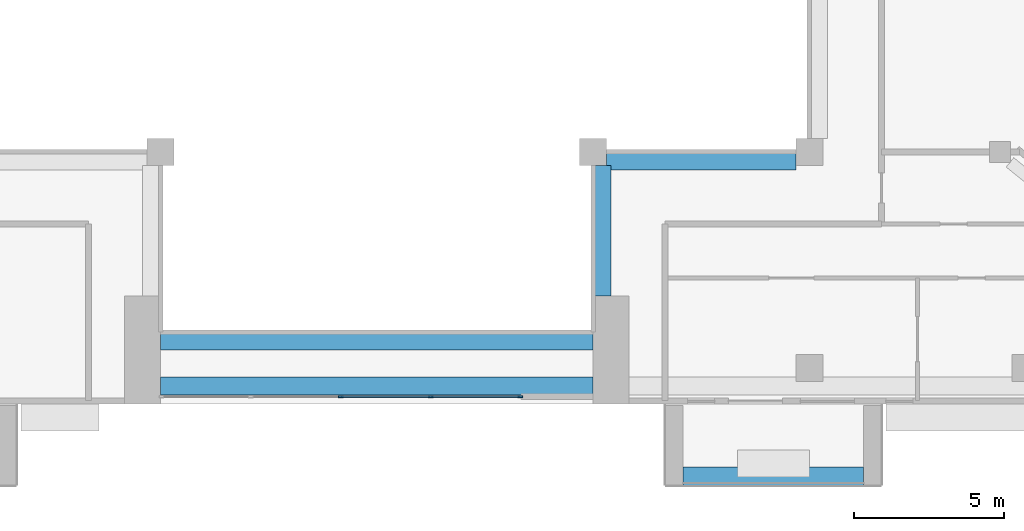
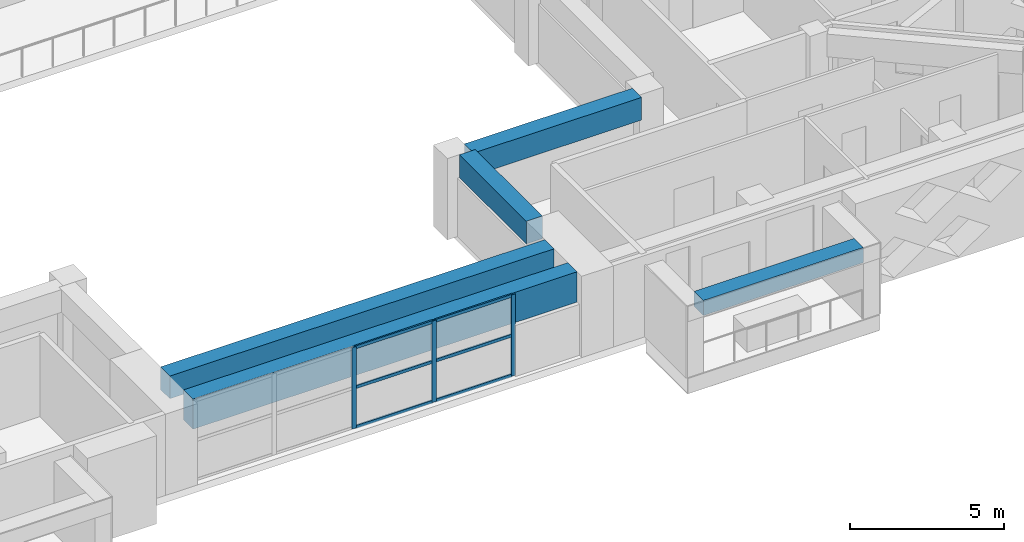
# One storey, part 4 of 19: 9 members, 5 beams, 1 element without a shape of its own.
"""IFC4 building model written with IfcOpenShell, lengths in metres."""

from ifc_helpers import new_model, si_unit, direction, frame, origin, origin_2d, place, context, subcontext, project, spatial, rectangle, extrude, source, transform, mapped, material, layer, layer_set, material_profile, profile_set, type_object, element, aggregate, save


model = new_model("IFC4")

# Units and contexts
model_context = context("Model", 3, precision=1e-05, world=origin(), true_north=direction((0.0, 1.0)))
body_context = subcontext(model_context, "Body", "Model", "MODEL_VIEW")
ifc_project = project(units=[si_unit("LENGTHUNIT", "METRE"), si_unit("AREAUNIT", "SQUARE_METRE"), si_unit("VOLUMEUNIT", "CUBIC_METRE"), si_unit("PLANEANGLEUNIT", "RADIAN"), si_unit("MASSUNIT", "GRAM", prefix="KILO")], contexts=[model_context])

# Site, building, storey
site_placement = place(None, origin())
site = spatial("IfcSite", under=ifc_project, at=site_placement, CompositionType="ELEMENT")
building_placement = place(site_placement, origin())
building = spatial("IfcBuilding", under=site, at=building_placement, Name="Saffron Iwan Residences", CompositionType="ELEMENT")
storey_placement = place(building_placement, frame((0.0, 0.0, 225.5)))
storey = spatial("IfcBuildingStorey", under=building, at=storey_placement, Name="L60", CompositionType="ELEMENT", Elevation=225.5)

# Beams
ifc_material_1 = material(Name="Concrete C40/50", Category="concrete")
ifc_material_profile_1 = material_profile(ifc_material_1, rectangle(XDim=0.60009765625, YDim=1.199951171875, at=origin_2d()), Name="RC 600x1200")
ifc_profile_set_1 = profile_set([ifc_material_profile_1], Name="Concrete C40/50")
beam_type_1 = type_object("IfcBeamType", Name="LINTEL BEAM RC 600x1200 C40/50 TOP 3220", PredefinedType="LINTEL", material=ifc_profile_set_1)
shared_shape_1 = source(origin(), body_context, "Body", "SweptSolid", [
    extrude(rectangle(XDim=0.60009765625, YDim=1.199951171875, at=origin_2d()), origin(), (0.0, 0.0, 1.0), 14.400146484375),
])
beam_1_placement = place(storey_placement, frame((57.60009765625, 40.199951171875, 2.6201171875), z_axis=(-1.0, 0.0, 0.0), x_axis=(0.0, -1.0, 0.0)))
element("IfcBeam", 1, at=beam_1_placement, inside=storey, type_object=beam_type_1, Name="Lintel beam over the iwan", PredefinedType="LINTEL", context=body_context, shape_type="MappedRepresentation", body=[
    mapped(shared_shape_1, transform((0.0, 0.0, 0.0))),
])
ifc_material_profile_2 = material_profile(ifc_material_1, rectangle(XDim=0.60009765625, YDim=0.89990234375, at=origin_2d()), Name="RC 600x900")
ifc_profile_set_2 = profile_set([ifc_material_profile_2], Name="Concrete C40/50")
beam_type_2 = type_object("IfcBeamType", Name="BEAM RC 600x900 C40/50 TOP 3220", PredefinedType="BEAM", material=ifc_profile_set_2)
shared_shape_2 = source(origin(), body_context, "Body", "SweptSolid", [
    extrude(rectangle(XDim=0.60009765625, YDim=0.89990234375, at=origin_2d()), origin(), (0.0, 0.0, 1.0), 14.400146484375),
])
beam_2_placement = place(storey_placement, frame((57.60009765625, 41.699951171875, 2.77001953125), z_axis=(-1.0, 0.0, 0.0), x_axis=(0.0, -1.0, 0.0)))
element("IfcBeam", 2, at=beam_2_placement, inside=storey, type_object=beam_type_2, Name="Atrium edge beam", PredefinedType="BEAM", context=body_context, shape_type="MappedRepresentation", body=[
    mapped(shared_shape_2, transform((0.0, 0.0, 0.0))),
])
shared_shape_3 = source(origin(), body_context, "Body", "SweptSolid", [
    extrude(rectangle(XDim=0.60009765625, YDim=0.89990234375, at=origin_2d()), origin(), (0.0, 0.0, 1.0), 4.35009765625),
])
beam_3_placement = place(storey_placement, frame((57.89990234375, 47.550048828125, 2.77001953125), z_axis=(0.0, -1.0, 0.0), x_axis=(1.0, 0.0, 0.0)))
element("IfcBeam", 3, at=beam_3_placement, inside=storey, type_object=beam_type_2, Name="Atrium edge beam", PredefinedType="BEAM", context=body_context, shape_type="MappedRepresentation", body=[
    mapped(shared_shape_3, transform((0.0, 0.0, 0.0))),
])
shared_shape_4 = source(origin(), body_context, "Body", "SweptSolid", [
    extrude(rectangle(XDim=0.60009765625, YDim=0.89990234375, at=origin_2d()), origin(), (0.0, 0.0, 1.0), 6.300048828125),
])
beam_4_placement = place(storey_placement, frame((64.35009765625, 47.699951171875, 2.77001953125), z_axis=(-1.0, 0.0, 0.0), x_axis=(0.0, -1.0, 0.0)))
element("IfcBeam", 4, at=beam_4_placement, inside=storey, type_object=beam_type_2, Name="Atrium edge beam", PredefinedType="BEAM", context=body_context, shape_type="MappedRepresentation", body=[
    mapped(shared_shape_4, transform((0.0, 0.0, 0.0))),
])

# Curtain wall, members
ifc_material_2 = material(Name="Clear glass, laminated double glazed", Category="glass")
ifc_layer = layer(ifc_material_2, 0.199951171875)
ifc_layer_set = layer_set([ifc_layer], Name="Clear glass, laminated double glazed")
curtain_wall_type = type_object("IfcCurtainWallType", Name="CW-B IWAN PORTAL", PredefinedType="NOTDEFINED", material=ifc_layer_set)
curtain_wall_placement = place(storey_placement, origin())
curtain_wall = element("IfcCurtainWall", 5, at=curtain_wall_placement, inside=storey, type_object=curtain_wall_type, Name="Iwan portal glazing L60.1", PredefinedType="NOTDEFINED")
ifc_material_3 = material(Name="Aluminium 6063-T6", Category="aluminium")
ifc_material_profile_3 = material_profile(ifc_material_3, rectangle(XDim=0.06005859375, YDim=0.1201171875, at=origin_2d()), Name="CW-B TRANSOM 60 x 120")
ifc_profile_set_3 = profile_set([ifc_material_profile_3], Name="Aluminium 6063-T6")
member_type_1 = type_object("IfcMemberType", Name="CW-B TRANSOM 60 x 120", PredefinedType="USERDEFINED", material=ifc_profile_set_3)
shared_shape_5 = source(origin(), body_context, "Body", "SweptSolid", [
    extrude(rectangle(XDim=0.06005859375, YDim=0.1201171875, at=origin_2d()), origin(), (0.0, 0.0, 1.0), 2.909912109375),
])
member_1_placement = place(storey_placement, frame((52.22998046875, 39.85009765625, 0.030029296875), z_axis=(1.0, 0.0, 0.0), x_axis=(0.0, 1.0, 0.0)))
member_1 = element("IfcMember", 6, at=member_1_placement, type_object=member_type_1, Name="CW-B transom 4.1", ObjectType="TRANSOM", PredefinedType="USERDEFINED", context=body_context, shape_type="MappedRepresentation", body=[
    mapped(shared_shape_5, transform((0.0, 0.0, 0.0))),
])
member_2_placement = place(storey_placement, frame((52.22998046875, 39.85009765625, 1.610107421875), z_axis=(1.0, 0.0, 0.0), x_axis=(0.0, 1.0, 0.0)))
member_2 = element("IfcMember", 7, at=member_2_placement, type_object=member_type_1, Name="CW-B transom 4.2", ObjectType="TRANSOM", PredefinedType="USERDEFINED", context=body_context, shape_type="MappedRepresentation", body=[
    mapped(shared_shape_5, transform((0.0, 0.0, 0.0))),
])
member_3_placement = place(storey_placement, frame((52.22998046875, 39.85009765625, 3.18994140625), z_axis=(1.0, 0.0, 0.0), x_axis=(0.0, 1.0, 0.0)))
member_3 = element("IfcMember", 8, at=member_3_placement, type_object=member_type_1, Name="CW-B transom 4.3", ObjectType="TRANSOM", PredefinedType="USERDEFINED", context=body_context, shape_type="MappedRepresentation", body=[
    mapped(shared_shape_5, transform((0.0, 0.0, 0.0))),
])
shared_shape_6 = source(origin(), body_context, "Body", "SweptSolid", [
    extrude(rectangle(XDim=0.06005859375, YDim=0.1201171875, at=origin_2d()), origin(), (0.0, 0.0, 1.0), 2.93994140625),
])
member_4_placement = place(storey_placement, frame((49.22998046875, 39.85009765625, 0.030029296875), z_axis=(1.0, 0.0, 0.0), x_axis=(0.0, 1.0, 0.0)))
member_4 = element("IfcMember", 9, at=member_4_placement, type_object=member_type_1, Name="CW-B transom 3.1", ObjectType="TRANSOM", PredefinedType="USERDEFINED", context=body_context, shape_type="MappedRepresentation", body=[
    mapped(shared_shape_6, transform((0.0, 0.0, 0.0))),
])
member_5_placement = place(storey_placement, frame((49.22998046875, 39.85009765625, 1.610107421875), z_axis=(1.0, 0.0, 0.0), x_axis=(0.0, 1.0, 0.0)))
member_5 = element("IfcMember", 10, at=member_5_placement, type_object=member_type_1, Name="CW-B transom 3.2", ObjectType="TRANSOM", PredefinedType="USERDEFINED", context=body_context, shape_type="MappedRepresentation", body=[
    mapped(shared_shape_6, transform((0.0, 0.0, 0.0))),
])
member_6_placement = place(storey_placement, frame((49.22998046875, 39.85009765625, 3.18994140625), z_axis=(1.0, 0.0, 0.0), x_axis=(0.0, 1.0, 0.0)))
member_6 = element("IfcMember", 11, at=member_6_placement, type_object=member_type_1, Name="CW-B transom 3.3", ObjectType="TRANSOM", PredefinedType="USERDEFINED", context=body_context, shape_type="MappedRepresentation", body=[
    mapped(shared_shape_6, transform((0.0, 0.0, 0.0))),
])

# Beam
ifc_material_4 = material(Name="Concrete C50/60 white painted", Category="concrete")
ifc_material_profile_4 = material_profile(ifc_material_4, rectangle(XDim=0.60009765625, YDim=0.60009765625, at=origin_2d()), Name="BALCONY FASCIA BEAM 600 x 600")
ifc_profile_set_4 = profile_set([ifc_material_profile_4], Name="Concrete C50/60 white painted")
beam_type_3 = type_object("IfcBeamType", Name="BALCONY FASCIA BEAM 600 x 600", PredefinedType="BEAM", material=ifc_profile_set_4)
shared_shape_7 = source(origin(), body_context, "Body", "SweptSolid", [
    extrude(rectangle(XDim=0.60009765625, YDim=0.60009765625, at=origin_2d()), origin(), (0.0, 0.0, 1.0), 6.0),
])
beam_5_placement = place(storey_placement, frame((60.60009765625, 37.199951171875, 2.550048828125), z_axis=(1.0, 0.0, 0.0), x_axis=(0.0, 1.0, 0.0)))
element("IfcBeam", 12, at=beam_5_placement, inside=storey, type_object=beam_type_3, Name="Balcony fascia beam L60 11-1", PredefinedType="BEAM", context=body_context, shape_type="MappedRepresentation", body=[
    mapped(shared_shape_7, transform((0.0, 0.0, 0.0))),
])

# Member
ifc_material_profile_5 = material_profile(ifc_material_3, rectangle(XDim=0.06005859375, YDim=0.159912109375, at=origin_2d()), Name="CW-B MULLION 60 x 160")
ifc_profile_set_5 = profile_set([ifc_material_profile_5], Name="Aluminium 6063-T6")
member_type_2 = type_object("IfcMemberType", Name="CW-B MULLION 60 x 160", PredefinedType="MULLION", material=ifc_profile_set_5)
shared_shape_8 = source(origin(), body_context, "Body", "SweptSolid", [
    extrude(rectangle(XDim=0.06005859375, YDim=0.159912109375, at=origin_2d()), origin(), (0.0, 0.0, 1.0), 3.219970703125),
])
member_7_placement = place(storey_placement, frame((49.199951171875, 39.85009765625, 0.0), z_axis=(0.0, 0.0, 1.0), x_axis=(0.0, 1.0, 0.0)))
member_7 = element("IfcMember", 13, at=member_7_placement, type_object=member_type_2, Name="CW-B mullion 3", PredefinedType="MULLION", context=body_context, shape_type="MappedRepresentation", body=[
    mapped(shared_shape_8, transform((0.0, 0.0, 0.0))),
])

member_8_placement = place(storey_placement, frame((52.199951171875, 39.85009765625, 0.0), z_axis=(0.0, 0.0, 1.0), x_axis=(0.0, 1.0, 0.0)))
member_8 = element("IfcMember", 14, at=member_8_placement, type_object=member_type_2, Name="CW-B mullion 4", PredefinedType="MULLION", context=body_context, shape_type="MappedRepresentation", body=[
    mapped(shared_shape_8, transform((0.0, 0.0, 0.0))),
])

member_9_placement = place(storey_placement, frame((55.169921875, 39.85009765625, 0.0), z_axis=(0.0, 0.0, 1.0), x_axis=(0.0, 1.0, 0.0)))
member_9 = element("IfcMember", 15, at=member_9_placement, type_object=member_type_2, Name="CW-B mullion 5", PredefinedType="MULLION", context=body_context, shape_type="MappedRepresentation", body=[
    mapped(shared_shape_8, transform((0.0, 0.0, 0.0))),
])

aggregate(curtain_wall, [member_7, member_8, member_9, member_4, member_5, member_6, member_1, member_2, member_3])

save(model, "model.ifc")
